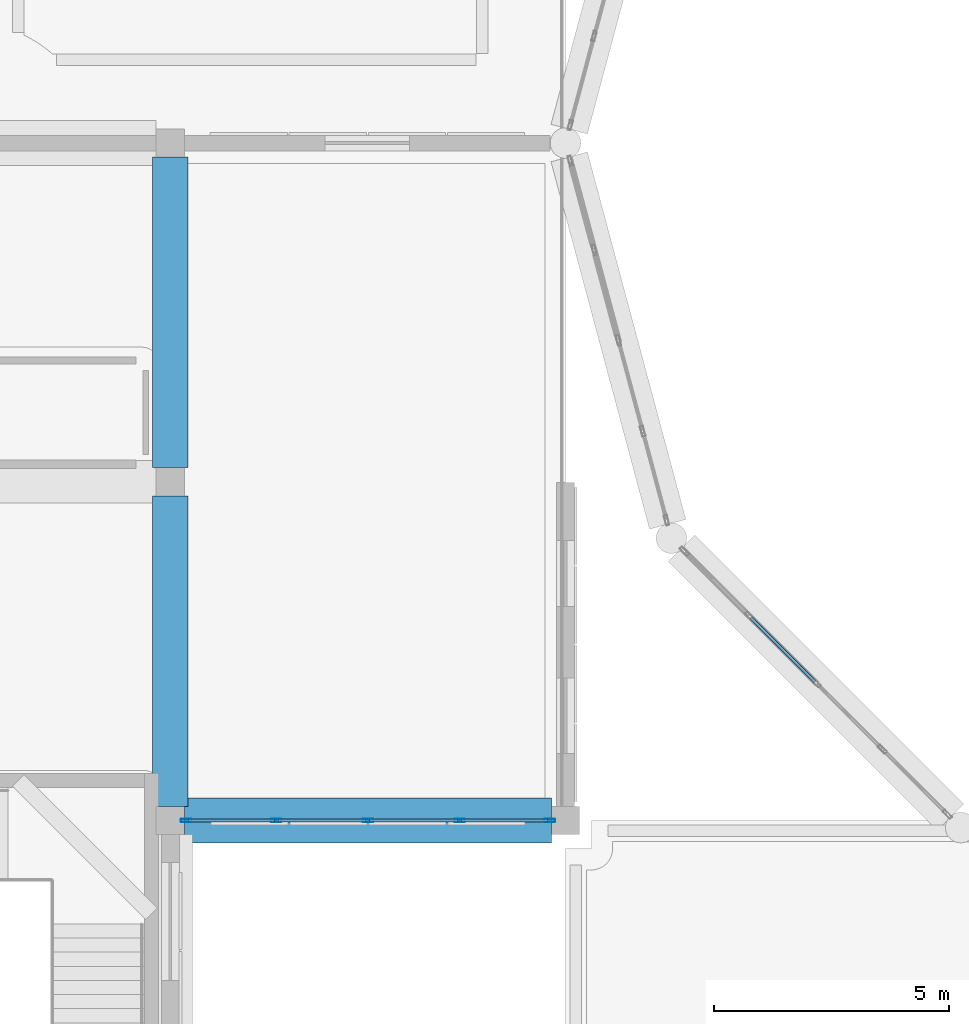
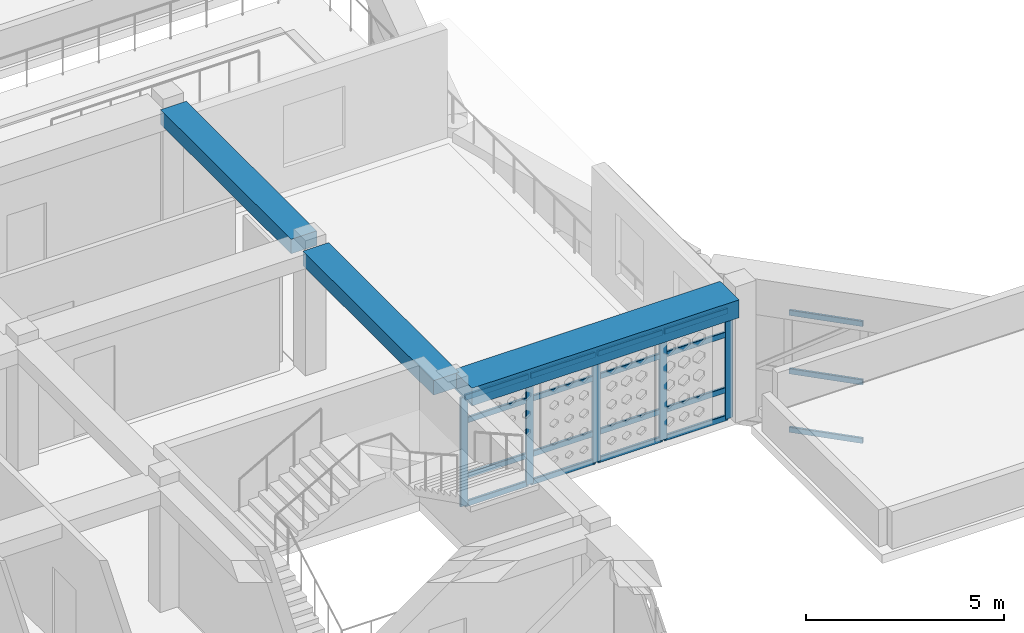
# One storey, part 14 of 48: 24 members, 3 beams, 2 elements without a shape of their own.
"""IFC4 building model written with IfcOpenShell, lengths in metres."""

from ifc_helpers import new_model, si_unit, derived_unit, direction, frame, origin, origin_2d, place, context, subcontext, project, spatial, rectangle, hollow_rectangle, extrude, material, material_profile, profile_set, type_object, element, aggregate, save


model = new_model("IFC4")

# Units and contexts
model_context = context("Model", 3, precision=1e-05, world=origin(), true_north=direction((0.0, 1.0)))
body_context = subcontext(model_context, "Body", "Model", "MODEL_VIEW")
ifc_project = project(units=[si_unit("LENGTHUNIT", "METRE"), si_unit("AREAUNIT", "SQUARE_METRE"), si_unit("VOLUMEUNIT", "CUBIC_METRE"), si_unit("PLANEANGLEUNIT", "RADIAN"), si_unit("MASSUNIT", "GRAM", prefix="KILO"), derived_unit("THERMALTRANSMITTANCEUNIT", [(si_unit("POWERUNIT", "WATT"), 1), (si_unit("LENGTHUNIT", "METRE"), -2), (si_unit("THERMODYNAMICTEMPERATUREUNIT", "KELVIN"), -1)])], contexts=[model_context])

# Site, building, storey
site_placement = place(None, origin())
site = spatial("IfcSite", under=ifc_project, at=site_placement, CompositionType="ELEMENT")
building_placement = place(site_placement, origin())
building = spatial("IfcBuilding", under=site, at=building_placement, Name="Veybourne Emporium", CompositionType="ELEMENT")
storey_placement = place(building_placement, frame((0.0, 0.0, 27.89990234375)))
storey = spatial("IfcBuildingStorey", under=building, at=storey_placement, Name="L06", CompositionType="ELEMENT", Elevation=27.89990234375)

# Curtain wall, members
ifc_material_1 = material(Name="Patinated Architectural Bronze", Category="bronze")
curtain_wall_type_1 = type_object("IfcCurtainWallType", Name="CWSystem_CWS-17", PredefinedType="NOTDEFINED", material=ifc_material_1)
curtain_wall_1_placement = place(storey_placement, origin())
curtain_wall_1 = element("IfcCurtainWall", 1, at=curtain_wall_1_placement, inside=storey, type_object=curtain_wall_type_1, Name="L06 bronze glazed curtain wall CWS-17 (023)", PredefinedType="NOTDEFINED")
ifc_material_profile_1 = material_profile(ifc_material_1, hollow_rectangle(XDim=0.072021484375, YDim=0.22509765625, WallThickness=0.0048828125, InnerFilletRadius=0.007568359375, OuterFilletRadius=0.012451171875, at=origin_2d()), Name="CWM 72x225x5")
ifc_profile_set_1 = profile_set([ifc_material_profile_1], Name="Patinated Architectural Bronze")
member_type_1 = type_object("IfcMemberType", Name="CWMullion_CW-M1", PredefinedType="MULLION", material=ifc_profile_set_1)
member_1_placement = place(storey_placement, frame((58.464111328125, 36.0, 0.0), z_axis=(0.0, 0.0, 1.0), x_axis=(0.0, -1.0, 0.0)))
member_1 = element("IfcMember", 2, at=member_1_placement, type_object=member_type_1, Name="CWS-17 mullion 1", PredefinedType="MULLION", context=body_context, shape_type="SweptSolid", body=[
    extrude(hollow_rectangle(XDim=0.072021484375, YDim=0.22509765625, WallThickness=0.0048828125, InnerFilletRadius=0.007568359375, OuterFilletRadius=0.012451171875, at=origin_2d()), origin(), (0.0, 0.0, 1.0), 3.360107421875),
])
member_2_placement = place(storey_placement, frame((56.550048828125, 36.0, 0.0), z_axis=(0.0, 0.0, 1.0), x_axis=(0.0, -1.0, 0.0)))
member_2 = element("IfcMember", 3, at=member_2_placement, type_object=member_type_1, Name="CWS-17 mullion 2", PredefinedType="MULLION", context=body_context, shape_type="SweptSolid", body=[
    extrude(hollow_rectangle(XDim=0.072021484375, YDim=0.22509765625, WallThickness=0.0048828125, InnerFilletRadius=0.007568359375, OuterFilletRadius=0.012451171875, at=origin_2d()), origin(), (0.0, 0.0, 1.0), 3.360107421875),
])
member_3_placement = place(storey_placement, frame((54.60009765625, 36.0, 0.0), z_axis=(0.0, 0.0, 1.0), x_axis=(0.0, -1.0, 0.0)))
member_3 = element("IfcMember", 4, at=member_3_placement, type_object=member_type_1, Name="CWS-17 mullion 3", PredefinedType="MULLION", context=body_context, shape_type="SweptSolid", body=[
    extrude(hollow_rectangle(XDim=0.072021484375, YDim=0.22509765625, WallThickness=0.0048828125, InnerFilletRadius=0.007568359375, OuterFilletRadius=0.012451171875, at=origin_2d()), origin(), (0.0, 0.0, 1.0), 3.360107421875),
])
member_4_placement = place(storey_placement, frame((52.64990234375, 36.0, 0.0), z_axis=(0.0, 0.0, 1.0), x_axis=(0.0, -1.0, 0.0)))
member_4 = element("IfcMember", 5, at=member_4_placement, type_object=member_type_1, Name="CWS-17 mullion 4", PredefinedType="MULLION", context=body_context, shape_type="SweptSolid", body=[
    extrude(hollow_rectangle(XDim=0.072021484375, YDim=0.22509765625, WallThickness=0.0048828125, InnerFilletRadius=0.007568359375, OuterFilletRadius=0.012451171875, at=origin_2d()), origin(), (0.0, 0.0, 1.0), 3.360107421875),
])
member_5_placement = place(storey_placement, frame((50.736083984375, 36.0, 0.0), z_axis=(0.0, 0.0, 1.0), x_axis=(0.0, -1.0, 0.0)))
member_5 = element("IfcMember", 6, at=member_5_placement, type_object=member_type_1, Name="CWS-17 mullion 5", PredefinedType="MULLION", context=body_context, shape_type="SweptSolid", body=[
    extrude(hollow_rectangle(XDim=0.072021484375, YDim=0.22509765625, WallThickness=0.0048828125, InnerFilletRadius=0.007568359375, OuterFilletRadius=0.012451171875, at=origin_2d()), origin(), (0.0, 0.0, 1.0), 3.360107421875),
])
ifc_material_profile_2 = material_profile(ifc_material_1, hollow_rectangle(XDim=0.072021484375, YDim=0.175048828125, WallThickness=0.0048828125, InnerFilletRadius=0.007568359375, OuterFilletRadius=0.012451171875, at=origin_2d()), Name="CWT 72x175x5")
ifc_profile_set_2 = profile_set([ifc_material_profile_2], Name="Patinated Architectural Bronze")
member_type_2 = type_object("IfcMemberType", Name="CWTransom_CW-T1", PredefinedType="NOTDEFINED", material=ifc_profile_set_2)
member_6_placement = place(storey_placement, frame((58.427978515625, 36.0, 0.0361328125), z_axis=(-1.0, 0.0, 0.0), x_axis=(0.0, -1.0, 0.0)))
member_6 = element("IfcMember", 7, at=member_6_placement, type_object=member_type_2, Name="CWS-17 transom 1.1", ObjectType="TRANSOM", PredefinedType="USERDEFINED", context=body_context, shape_type="SweptSolid", body=[
    extrude(hollow_rectangle(XDim=0.072021484375, YDim=0.175048828125, WallThickness=0.0048828125, InnerFilletRadius=0.007568359375, OuterFilletRadius=0.012451171875, at=origin_2d()), origin(), (0.0, 0.0, 1.0), 1.842041015625),
])
member_7_placement = place(storey_placement, frame((58.427978515625, 36.0, 0.900146484375), z_axis=(-1.0, 0.0, 0.0), x_axis=(0.0, -1.0, 0.0)))
member_7 = element("IfcMember", 8, at=member_7_placement, type_object=member_type_2, Name="CWS-17 transom 1.2", ObjectType="TRANSOM", PredefinedType="USERDEFINED", context=body_context, shape_type="SweptSolid", body=[
    extrude(hollow_rectangle(XDim=0.072021484375, YDim=0.175048828125, WallThickness=0.0048828125, InnerFilletRadius=0.007568359375, OuterFilletRadius=0.012451171875, at=origin_2d()), origin(), (0.0, 0.0, 1.0), 1.842041015625),
])
member_8_placement = place(storey_placement, frame((58.427978515625, 36.0, 2.610107421875), z_axis=(-1.0, 0.0, 0.0), x_axis=(0.0, -1.0, 0.0)))
member_8 = element("IfcMember", 9, at=member_8_placement, type_object=member_type_2, Name="CWS-17 transom 1.3", ObjectType="TRANSOM", PredefinedType="USERDEFINED", context=body_context, shape_type="SweptSolid", body=[
    extrude(hollow_rectangle(XDim=0.072021484375, YDim=0.175048828125, WallThickness=0.0048828125, InnerFilletRadius=0.007568359375, OuterFilletRadius=0.012451171875, at=origin_2d()), origin(), (0.0, 0.0, 1.0), 1.842041015625),
])
member_9_placement = place(storey_placement, frame((58.427978515625, 36.0, 3.32421875), z_axis=(-1.0, 0.0, 0.0), x_axis=(0.0, -1.0, 0.0)))
member_9 = element("IfcMember", 10, at=member_9_placement, type_object=member_type_2, Name="CWS-17 transom 1.4", ObjectType="TRANSOM", PredefinedType="USERDEFINED", context=body_context, shape_type="SweptSolid", body=[
    extrude(hollow_rectangle(XDim=0.072021484375, YDim=0.175048828125, WallThickness=0.0048828125, InnerFilletRadius=0.007568359375, OuterFilletRadius=0.012451171875, at=origin_2d()), origin(), (0.0, 0.0, 1.0), 1.842041015625),
])
member_10_placement = place(storey_placement, frame((56.513916015625, 36.0, 0.0361328125), z_axis=(-1.0, 0.0, 0.0), x_axis=(0.0, -1.0, 0.0)))
member_10 = element("IfcMember", 11, at=member_10_placement, type_object=member_type_2, Name="CWS-17 transom 2.1", ObjectType="TRANSOM", PredefinedType="USERDEFINED", context=body_context, shape_type="SweptSolid", body=[
    extrude(hollow_rectangle(XDim=0.072021484375, YDim=0.175048828125, WallThickness=0.0048828125, InnerFilletRadius=0.007568359375, OuterFilletRadius=0.012451171875, at=origin_2d()), origin(), (0.0, 0.0, 1.0), 1.8779296875),
])
member_11_placement = place(storey_placement, frame((56.513916015625, 36.0, 0.900146484375), z_axis=(-1.0, 0.0, 0.0), x_axis=(0.0, -1.0, 0.0)))
member_11 = element("IfcMember", 12, at=member_11_placement, type_object=member_type_2, Name="CWS-17 transom 2.2", ObjectType="TRANSOM", PredefinedType="USERDEFINED", context=body_context, shape_type="SweptSolid", body=[
    extrude(hollow_rectangle(XDim=0.072021484375, YDim=0.175048828125, WallThickness=0.0048828125, InnerFilletRadius=0.007568359375, OuterFilletRadius=0.012451171875, at=origin_2d()), origin(), (0.0, 0.0, 1.0), 1.8779296875),
])
member_12_placement = place(storey_placement, frame((56.513916015625, 36.0, 2.610107421875), z_axis=(-1.0, 0.0, 0.0), x_axis=(0.0, -1.0, 0.0)))
member_12 = element("IfcMember", 13, at=member_12_placement, type_object=member_type_2, Name="CWS-17 transom 2.3", ObjectType="TRANSOM", PredefinedType="USERDEFINED", context=body_context, shape_type="SweptSolid", body=[
    extrude(hollow_rectangle(XDim=0.072021484375, YDim=0.175048828125, WallThickness=0.0048828125, InnerFilletRadius=0.007568359375, OuterFilletRadius=0.012451171875, at=origin_2d()), origin(), (0.0, 0.0, 1.0), 1.8779296875),
])
member_13_placement = place(storey_placement, frame((56.513916015625, 36.0, 3.32421875), z_axis=(-1.0, 0.0, 0.0), x_axis=(0.0, -1.0, 0.0)))
member_13 = element("IfcMember", 14, at=member_13_placement, type_object=member_type_2, Name="CWS-17 transom 2.4", ObjectType="TRANSOM", PredefinedType="USERDEFINED", context=body_context, shape_type="SweptSolid", body=[
    extrude(hollow_rectangle(XDim=0.072021484375, YDim=0.175048828125, WallThickness=0.0048828125, InnerFilletRadius=0.007568359375, OuterFilletRadius=0.012451171875, at=origin_2d()), origin(), (0.0, 0.0, 1.0), 1.8779296875),
])
member_14_placement = place(storey_placement, frame((54.56396484375, 36.0, 0.0361328125), z_axis=(-1.0, 0.0, 0.0), x_axis=(0.0, -1.0, 0.0)))
member_14 = element("IfcMember", 15, at=member_14_placement, type_object=member_type_2, Name="CWS-17 transom 3.1", ObjectType="TRANSOM", PredefinedType="USERDEFINED", context=body_context, shape_type="SweptSolid", body=[
    extrude(hollow_rectangle(XDim=0.072021484375, YDim=0.175048828125, WallThickness=0.0048828125, InnerFilletRadius=0.007568359375, OuterFilletRadius=0.012451171875, at=origin_2d()), origin(), (0.0, 0.0, 1.0), 1.8779296875),
])
member_15_placement = place(storey_placement, frame((54.56396484375, 36.0, 0.900146484375), z_axis=(-1.0, 0.0, 0.0), x_axis=(0.0, -1.0, 0.0)))
member_15 = element("IfcMember", 16, at=member_15_placement, type_object=member_type_2, Name="CWS-17 transom 3.2", ObjectType="TRANSOM", PredefinedType="USERDEFINED", context=body_context, shape_type="SweptSolid", body=[
    extrude(hollow_rectangle(XDim=0.072021484375, YDim=0.175048828125, WallThickness=0.0048828125, InnerFilletRadius=0.007568359375, OuterFilletRadius=0.012451171875, at=origin_2d()), origin(), (0.0, 0.0, 1.0), 1.8779296875),
])
member_16_placement = place(storey_placement, frame((54.56396484375, 36.0, 2.610107421875), z_axis=(-1.0, 0.0, 0.0), x_axis=(0.0, -1.0, 0.0)))
member_16 = element("IfcMember", 17, at=member_16_placement, type_object=member_type_2, Name="CWS-17 transom 3.3", ObjectType="TRANSOM", PredefinedType="USERDEFINED", context=body_context, shape_type="SweptSolid", body=[
    extrude(hollow_rectangle(XDim=0.072021484375, YDim=0.175048828125, WallThickness=0.0048828125, InnerFilletRadius=0.007568359375, OuterFilletRadius=0.012451171875, at=origin_2d()), origin(), (0.0, 0.0, 1.0), 1.8779296875),
])
member_17_placement = place(storey_placement, frame((54.56396484375, 36.0, 3.32421875), z_axis=(-1.0, 0.0, 0.0), x_axis=(0.0, -1.0, 0.0)))
member_17 = element("IfcMember", 18, at=member_17_placement, type_object=member_type_2, Name="CWS-17 transom 3.4", ObjectType="TRANSOM", PredefinedType="USERDEFINED", context=body_context, shape_type="SweptSolid", body=[
    extrude(hollow_rectangle(XDim=0.072021484375, YDim=0.175048828125, WallThickness=0.0048828125, InnerFilletRadius=0.007568359375, OuterFilletRadius=0.012451171875, at=origin_2d()), origin(), (0.0, 0.0, 1.0), 1.8779296875),
])
member_18_placement = place(storey_placement, frame((52.614013671875, 36.0, 0.0361328125), z_axis=(-1.0, 0.0, 0.0), x_axis=(0.0, -1.0, 0.0)))
member_18 = element("IfcMember", 19, at=member_18_placement, type_object=member_type_2, Name="CWS-17 transom 4.1", ObjectType="TRANSOM", PredefinedType="USERDEFINED", context=body_context, shape_type="SweptSolid", body=[
    extrude(hollow_rectangle(XDim=0.072021484375, YDim=0.175048828125, WallThickness=0.0048828125, InnerFilletRadius=0.007568359375, OuterFilletRadius=0.012451171875, at=origin_2d()), origin(), (0.0, 0.0, 1.0), 1.842041015625),
])
member_19_placement = place(storey_placement, frame((52.614013671875, 36.0, 0.900146484375), z_axis=(-1.0, 0.0, 0.0), x_axis=(0.0, -1.0, 0.0)))
member_19 = element("IfcMember", 20, at=member_19_placement, type_object=member_type_2, Name="CWS-17 transom 4.2", ObjectType="TRANSOM", PredefinedType="USERDEFINED", context=body_context, shape_type="SweptSolid", body=[
    extrude(hollow_rectangle(XDim=0.072021484375, YDim=0.175048828125, WallThickness=0.0048828125, InnerFilletRadius=0.007568359375, OuterFilletRadius=0.012451171875, at=origin_2d()), origin(), (0.0, 0.0, 1.0), 1.842041015625),
])
member_20_placement = place(storey_placement, frame((52.614013671875, 36.0, 2.610107421875), z_axis=(-1.0, 0.0, 0.0), x_axis=(0.0, -1.0, 0.0)))
member_20 = element("IfcMember", 21, at=member_20_placement, type_object=member_type_2, Name="CWS-17 transom 4.3", ObjectType="TRANSOM", PredefinedType="USERDEFINED", context=body_context, shape_type="SweptSolid", body=[
    extrude(hollow_rectangle(XDim=0.072021484375, YDim=0.175048828125, WallThickness=0.0048828125, InnerFilletRadius=0.007568359375, OuterFilletRadius=0.012451171875, at=origin_2d()), origin(), (0.0, 0.0, 1.0), 1.842041015625),
])
member_21_placement = place(storey_placement, frame((52.614013671875, 36.0, 3.32421875), z_axis=(-1.0, 0.0, 0.0), x_axis=(0.0, -1.0, 0.0)))
member_21 = element("IfcMember", 22, at=member_21_placement, type_object=member_type_2, Name="CWS-17 transom 4.4", ObjectType="TRANSOM", PredefinedType="USERDEFINED", context=body_context, shape_type="SweptSolid", body=[
    extrude(hollow_rectangle(XDim=0.072021484375, YDim=0.175048828125, WallThickness=0.0048828125, InnerFilletRadius=0.007568359375, OuterFilletRadius=0.012451171875, at=origin_2d()), origin(), (0.0, 0.0, 1.0), 1.842041015625),
])
aggregate(curtain_wall_1, [member_1, member_2, member_3, member_4, member_5, member_6, member_7, member_8, member_9, member_10, member_11, member_12, member_13, member_14, member_15, member_16, member_17, member_18, member_19, member_20, member_21])

curtain_wall_type_2 = type_object("IfcCurtainWallType", Name="CWSystem_CWS-28", PredefinedType="NOTDEFINED", material=ifc_material_1)
curtain_wall_2_placement = place(storey_placement, origin())
curtain_wall_2 = element("IfcCurtainWall", 23, at=curtain_wall_2_placement, inside=storey, type_object=curtain_wall_type_2, Name="Atrium drum clerestory curtain wall 08", PredefinedType="NOTDEFINED")
ifc_material_profile_3 = material_profile(ifc_material_1, hollow_rectangle(XDim=0.070068359375, YDim=0.169921875, WallThickness=0.0048828125, InnerFilletRadius=0.007568359375, OuterFilletRadius=0.012451171875, at=origin_2d()), Name="CWT 70x170x5")
ifc_profile_set_3 = profile_set([ifc_material_profile_3], Name="Patinated Architectural Bronze")
member_type_3 = type_object("IfcMemberType", Name="CWTransom_CW-T4", PredefinedType="NOTDEFINED", material=ifc_profile_set_3)
member_22_placement = place(storey_placement, frame((62.739990234375, 40.310546875, -4.46484375), z_axis=(0.70717022444, -0.707043332241, 0.0), x_axis=(0.707043332241, 0.70717022444, 0.0)))
member_22 = element("IfcMember", 24, at=member_22_placement, type_object=member_type_3, Name="CWS-28 transom 2.1", ObjectType="TRANSOM", PredefinedType="USERDEFINED", context=body_context, shape_type="SweptSolid", body=[
    extrude(hollow_rectangle(XDim=0.070068359375, YDim=0.169921875, WallThickness=0.0048828125, InnerFilletRadius=0.007568359375, OuterFilletRadius=0.012451171875, at=origin_2d()), origin(), (0.0, 0.0, 1.0), 1.924072265625),
])
member_23_placement = place(storey_placement, frame((62.739990234375, 40.310546875, -2.659912109375), z_axis=(0.70717022444, -0.707043332241, 0.0), x_axis=(0.707043332241, 0.70717022444, 0.0)))
member_23 = element("IfcMember", 25, at=member_23_placement, type_object=member_type_3, Name="CWS-28 transom 2.2", ObjectType="TRANSOM", PredefinedType="USERDEFINED", context=body_context, shape_type="SweptSolid", body=[
    extrude(hollow_rectangle(XDim=0.070068359375, YDim=0.169921875, WallThickness=0.0048828125, InnerFilletRadius=0.007568359375, OuterFilletRadius=0.012451171875, at=origin_2d()), origin(), (0.0, 0.0, 1.0), 1.924072265625),
])
member_24_placement = place(storey_placement, frame((62.739990234375, 40.310546875, -0.85498046875), z_axis=(0.70717022444, -0.707043332241, 0.0), x_axis=(0.707043332241, 0.70717022444, 0.0)))
member_24 = element("IfcMember", 26, at=member_24_placement, type_object=member_type_3, Name="CWS-28 transom 2.3", ObjectType="TRANSOM", PredefinedType="USERDEFINED", context=body_context, shape_type="SweptSolid", body=[
    extrude(hollow_rectangle(XDim=0.070068359375, YDim=0.169921875, WallThickness=0.0048828125, InnerFilletRadius=0.007568359375, OuterFilletRadius=0.012451171875, at=origin_2d()), origin(), (0.0, 0.0, 1.0), 1.924072265625),
])
aggregate(curtain_wall_2, [member_22, member_23, member_24])

# Beams
ifc_material_2 = material(Name="Concrete C32/40", Category="concrete")
ifc_material_profile_4 = material_profile(ifc_material_2, rectangle(XDim=0.75, YDim=0.449951171875, at=origin_2d()), Name="RC 750x450")
ifc_profile_set_4 = profile_set([ifc_material_profile_4], Name="Concrete C32/40")
beam_type_1 = type_object("IfcBeamType", Name="RCBeam_BB-04", PredefinedType="BEAM", material=ifc_profile_set_4)
beam_1_placement = place(storey_placement, frame((50.39990234375, 36.300048828125, 3.68505859375), z_axis=(0.0, 1.0, 0.0), x_axis=(-1.0, 0.0, 0.0)))
element("IfcBeam", 27, at=beam_1_placement, inside=storey, type_object=beam_type_1, Name="L06 Y-grid beam BB-04 (6,5)", PredefinedType="BEAM", context=body_context, shape_type="SweptSolid", body=[
    extrude(rectangle(XDim=0.75, YDim=0.449951171875, at=origin_2d()), origin(), (0.0, 0.0, 1.0), 6.599853515625),
])
beam_2_placement = place(storey_placement, frame((50.39990234375, 43.5, 3.68505859375), z_axis=(0.0, 1.0, 0.0), x_axis=(-1.0, 0.0, 0.0)))
element("IfcBeam", 28, at=beam_2_placement, inside=storey, type_object=beam_type_1, Name="L06 Y-grid beam BB-04 (6,6)", PredefinedType="BEAM", context=body_context, shape_type="SweptSolid", body=[
    extrude(rectangle(XDim=0.75, YDim=0.449951171875, at=origin_2d()), origin(), (0.0, 0.0, 1.0), 6.60009765625),
])
ifc_material_profile_5 = material_profile(ifc_material_2, rectangle(XDim=0.949951171875, YDim=0.550048828125, at=origin_2d()), Name="RC 950x550")
ifc_profile_set_5 = profile_set([ifc_material_profile_5], Name="Concrete C32/40")
beam_type_2 = type_object("IfcBeamType", Name="RCBeam_EB-01", PredefinedType="SPANDREL", material=ifc_profile_set_5)
beam_3_placement = place(storey_placement, frame((50.699951171875, 36.0, 3.635009765625), z_axis=(1.0, 0.0, 0.0), x_axis=(0.0, 1.0, 0.0)))
element("IfcBeam", 29, at=beam_3_placement, inside=storey, type_object=beam_type_2, Name="L06 X-grid beam EB-01 (6,5)", PredefinedType="SPANDREL", context=body_context, shape_type="SweptSolid", body=[
    extrude(rectangle(XDim=0.949951171875, YDim=0.550048828125, at=origin_2d()), origin(), (0.0, 0.0, 1.0), 7.800048828125),
])

save(model, "model.ifc")
